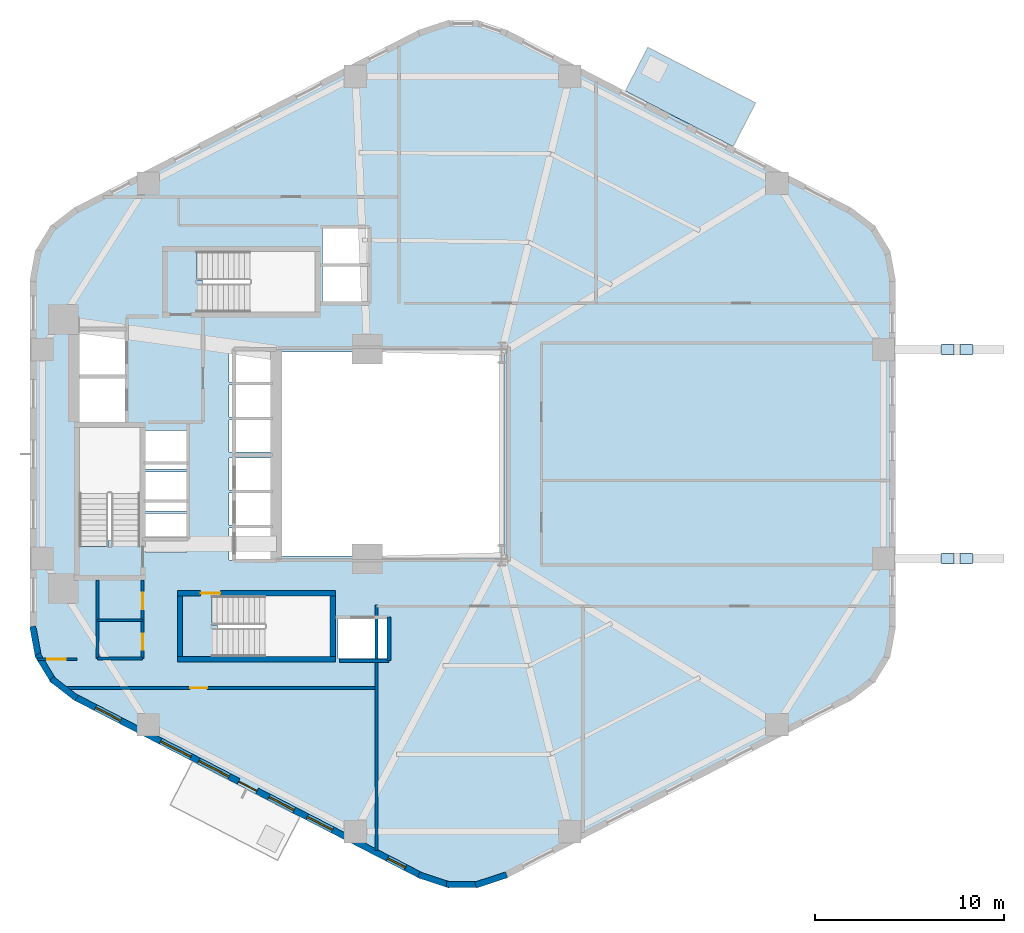
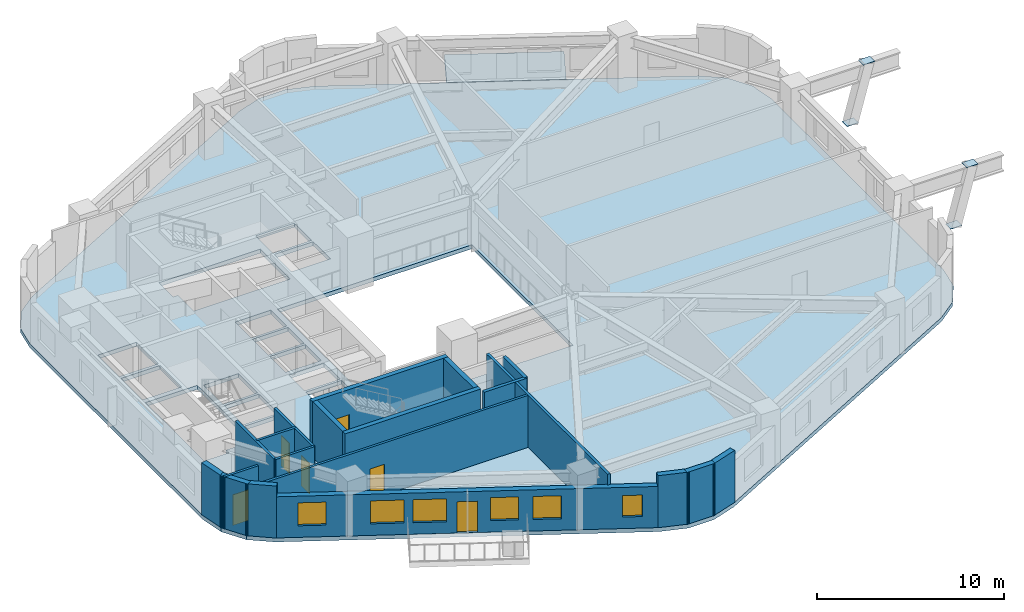
# One storey, part 2 of 7: 20 walls, 6 doors, 6 windows, 4 plates, 2 slabs, 12 openings.
"""IFC4 building model written with IfcOpenShell, lengths in metres."""

from ifc_helpers import new_model, si_unit, direction, frame, frame_2d, origin, origin_2d, place, context, subcontext, project, spatial, polyline, rectangle, outline, extrude, material, layer, layer_set, type_object, element, fill, save


model = new_model("IFC4")

# Units and contexts
model_context = context("Model", 3, precision=1e-05, world=origin(), true_north=direction((0.0, 1.0)))
body_context = subcontext(model_context, "Body", "Model", "MODEL_VIEW")
ifc_project = project(units=[si_unit("LENGTHUNIT", "METRE"), si_unit("AREAUNIT", "SQUARE_METRE"), si_unit("VOLUMEUNIT", "CUBIC_METRE"), si_unit("PLANEANGLEUNIT", "RADIAN"), si_unit("MASSUNIT", "GRAM", prefix="KILO"), si_unit("THERMODYNAMICTEMPERATUREUNIT", "KELVIN"), si_unit("POWERUNIT", "WATT")], contexts=[model_context])

# Site, building, storey
site_placement = place(None, origin())
site = spatial("IfcSite", under=ifc_project, at=site_placement, CompositionType="ELEMENT")
building_placement = place(site_placement, origin())
building = spatial("IfcBuilding", under=site, at=building_placement, Name="Skarre Station Tower", CompositionType="ELEMENT")
storey_placement = place(building_placement, frame((0.0, 0.0, 37.949951171875)))
storey = spatial("IfcBuildingStorey", under=building, at=storey_placement, Name="L09", CompositionType="ELEMENT", Elevation=37.949951171875)

# Plates
ifc_material_1 = material(Name="Steel ASTM A572 Grade 50", Category="steel")
ifc_layer_1 = layer(ifc_material_1, 0.031982421875, Name="Steel ASTM A572 Grade 50")
ifc_layer_set_1 = layer_set([ifc_layer_1], Name="Steel ASTM A572 Grade 50")
plate_type = type_object("IfcPlateType", Name="Exoskeleton Strut Cap Plate 700x540x32", PredefinedType="USERDEFINED", material=ifc_layer_set_1)
for number, where, z_axis, x_axis, name in (
    (1, (63.012939453125, 18.47900390625, -0.2861328125), (0.0, 0.0, 1.0), (1.0, 0.0, 0.0), "L09 SB-1 Exoskeleton Tier-1 Base Gusset S1"),
    (2, (64.012939453125, 18.47900390625, 3.3642578125), (0.0, 0.0, 1.0), (1.0, 0.0, 0.0), "L09 SB-1 Exoskeleton Tier-1 Head Gusset S1"),
    (3, (63.012939453125, 29.52099609375, -0.2861328125), (0.0, 0.0, 1.0), (1.0, 0.0, 0.0), "L09 SB-1 Exoskeleton Tier-1 Base Gusset S2"),
    (4, (64.012939453125, 29.52099609375, 3.3642578125), (0.0, 0.0, 1.0), (1.0, 0.0, 0.0), "L09 SB-1 Exoskeleton Tier-1 Head Gusset S2"),
):
    element("IfcPlate", number, at=place(storey_placement, frame(where, z_axis=z_axis, x_axis=x_axis)), inside=storey, type_object=plate_type, Name=name, ObjectType="STIFFENER_PLATE", PredefinedType="USERDEFINED", context=body_context, shape_type="SweptSolid", body=[
        extrude(rectangle(XDim=0.699951171875, YDim=0.5400390625, at=origin_2d()), origin(), (0.0, 0.0, 1.0), 0.031982421875),
    ])

# Slabs
ifc_material_2 = material(Name="Precast concrete C50/60", Category="concrete")
ifc_layer_2 = layer(ifc_material_2, 0.340087890625, Name="Precast concrete C50/60")
ifc_layer_set_2 = layer_set([ifc_layer_2], Name="Precast concrete C50/60")
slab_type_1 = type_object("IfcSlabType", Name="Planted Tree-Balcony Cantilever Slab 340", PredefinedType="FLOOR", material=ifc_layer_set_2)
slab_1_placement = place(storey_placement, frame((0.0, 0.0, -0.33984375)))
element("IfcSlab", 5, at=slab_1_placement, inside=storey, type_object=slab_type_1, Name="L09 Planted Tree-Balcony Deck TB-L09-F0", PredefinedType="FLOOR", context=body_context, shape_type="SweptSolid", body=[
    extrude(outline(polyline([(51.679931640625, 40.240966796875), (45.991943359375, 43.176025390625), (47.179931640625, 45.47802734375), (52.867919921875, 42.54296875), (51.679931640625, 40.240966796875)])), origin(), (0.0, 0.0, 1.0), 0.33984375),
])
ifc_material_3 = material(Name="Concrete C50/60", Category="concrete")
ifc_layer_3 = layer(ifc_material_3, 0.260009765625, Name="Concrete C50/60")
ifc_layer_set_3 = layer_set([ifc_layer_3], Name="Concrete C50/60")
slab_type_2 = type_object("IfcSlabType", Name="Tower Typical Composite Floor Slab 260", PredefinedType="FLOOR", material=ifc_layer_set_3)
slab_2_placement = place(storey_placement, frame((0.0, 0.0, -0.260009765625)))
element("IfcSlab", 6, at=slab_2_placement, inside=storey, type_object=slab_type_2, Name="L09 Zone 1 Structural Floor Slab", PredefinedType="FLOOR", context=body_context, shape_type="SweptSolid", body=[
    extrude(outline(polyline([(60.262939453125, 33.201904296875), (59.98193359375, 34.72412109375), (59.177001953125, 36.044921875), (57.9541015625, 36.991943359375), (39.708984375, 46.407958984375), (38.196044921875, 46.906005859375), (36.60400390625, 46.906005859375), (35.091064453125, 46.407958984375), (16.845947265625, 36.991943359375), (15.623046875, 36.044921875), (14.818115234375, 34.72412109375), (14.537109375, 33.201904296875), (14.537109375, 14.798095703125), (14.818115234375, 13.27587890625), (15.623046875, 11.955078125), (16.845947265625, 11.008056640625), (35.091064453125, 1.592041015625), (36.60400390625, 1.093994140625), (38.196044921875, 1.093994140625), (39.708984375, 1.592041015625), (57.9541015625, 11.008056640625), (59.177001953125, 11.955078125), (59.98193359375, 13.27587890625), (60.262939453125, 14.798095703125), (60.262939453125, 33.201904296875)]), holes=[polyline([(18.669921875, 19.419921875), (18.669921875, 19.123046875), (17.14990234375, 19.123046875), (17.14990234375, 25.39990234375), (20.35009765625, 25.39990234375), (20.35009765625, 19.419921875), (18.669921875, 19.419921875)]), polyline([(24.449951171875, 14.97998046875), (24.153076171875, 14.97998046875), (24.153076171875, 16.5), (30.39990234375, 16.5), (30.39990234375, 13.300048828125), (24.449951171875, 13.300048828125), (24.449951171875, 14.97998046875)]), polyline([(23.64990234375, 33.179931640625), (23.35302734375, 33.179931640625), (23.35302734375, 34.699951171875), (29.60009765625, 34.699951171875), (29.60009765625, 31.5), (23.64990234375, 31.5), (23.64990234375, 33.179931640625)]), polyline([(17.14990234375, 28.0), (19.550048828125, 28.0), (19.550048828125, 25.699951171875), (17.14990234375, 25.699951171875), (17.14990234375, 28.0)]), polyline([(17.14990234375, 30.5), (19.550048828125, 30.5), (19.550048828125, 28.199951171875), (17.14990234375, 28.199951171875), (17.14990234375, 30.5)]), polyline([(30.800048828125, 15.300048828125), (33.39990234375, 15.300048828125), (33.39990234375, 13.199951171875), (30.800048828125, 13.199951171875), (30.800048828125, 15.300048828125)]), polyline([(25.050048828125, 20.10009765625), (27.25, 20.10009765625), (27.25, 18.39990234375), (25.050048828125, 18.39990234375), (25.050048828125, 20.10009765625)]), polyline([(25.050048828125, 21.949951171875), (27.25, 21.949951171875), (27.25, 20.25), (25.050048828125, 20.25), (25.050048828125, 21.949951171875)]), polyline([(25.050048828125, 23.800048828125), (27.25, 23.800048828125), (27.25, 22.10009765625), (25.050048828125, 22.10009765625), (25.050048828125, 23.800048828125)]), polyline([(25.050048828125, 25.800048828125), (27.25, 25.800048828125), (27.25, 24.10009765625), (25.050048828125, 24.10009765625), (25.050048828125, 25.800048828125)]), polyline([(25.050048828125, 27.64990234375), (27.25, 27.64990234375), (27.25, 25.949951171875), (25.050048828125, 25.949951171875), (25.050048828125, 27.64990234375)]), polyline([(25.050048828125, 29.5), (27.25, 29.5), (27.25, 27.800048828125), (25.050048828125, 27.800048828125), (25.050048828125, 29.5)]), polyline([(20.64990234375, 20.85009765625), (22.800048828125, 20.85009765625), (22.800048828125, 18.800048828125), (20.64990234375, 18.800048828125), (20.64990234375, 20.85009765625)]), polyline([(20.64990234375, 23.050048828125), (22.800048828125, 23.050048828125), (22.800048828125, 21.0), (20.64990234375, 21.0), (20.64990234375, 23.050048828125)]), polyline([(20.64990234375, 25.25), (22.800048828125, 25.25), (22.800048828125, 23.199951171875), (20.64990234375, 23.199951171875), (20.64990234375, 25.25)]), polyline([(30.0, 33.89990234375), (32.39990234375, 33.89990234375), (32.39990234375, 32.050048828125), (30.0, 32.050048828125), (30.0, 33.89990234375)]), polyline([(30.0, 35.89990234375), (32.39990234375, 35.89990234375), (32.39990234375, 34.050048828125), (30.0, 34.050048828125), (30.0, 35.89990234375)]), polyline([(27.60009765625, 29.39990234375), (39.60009765625, 29.39990234375), (39.60009765625, 18.60009765625), (27.60009765625, 18.60009765625), (27.60009765625, 29.39990234375)])]), origin(), (0.0, 0.0, 1.0), 0.260009765625),
])

# Walls
ifc_material_4 = material(Name="Acoustic Steel-Stud Gypsum Partition", Category="steel")
ifc_layer_4 = layer(ifc_material_4, 0.14990234375, Name="Acoustic Steel-Stud Gypsum Partition")
ifc_layer_set_4 = layer_set([ifc_layer_4], Name="Acoustic Steel-Stud Gypsum Partition")
wall_type_1 = type_object("IfcWallType", Name="Fire-Rated Corridor Acoustic Partition 150", PredefinedType="PARTITIONING", material=ifc_layer_set_4)
wall_1_placement = place(storey_placement, frame((18.10009765625, 17.340087890625, 0.0), z_axis=(0.0, 0.0, 1.0), x_axis=(0.0, -1.0, 0.0)))
element("IfcWall", 7, at=wall_1_placement, inside=storey, type_object=wall_type_1, Name="L09 Interior Partition WL-PT-L09-CSVC-W", PredefinedType="PARTITIONING", context=body_context, shape_type="SweptSolid", body=[
    extrude(rectangle(XDim=4.14013671875, YDim=0.14990234375, at=frame_2d((2.070068359375, 0.0))), origin(), (0.0, 0.0, 1.0), 3.39013671875),
])
for number, where, z_axis, x_axis, name in (
    (8, (18.10009765625, 13.199951171875, 0.0), (0.0, 0.0, 1.0), (1.0, 0.0, 0.0), "L09 Interior Partition WL-PT-L09-CSVC-S"),
    (9, (18.10009765625, 15.219970703125, 0.0), (0.0, 0.0, 1.0), (1.0, 0.0, 0.0), "L09 Interior Partition WL-PT-L09-CSVC-M"),
):
    element("IfcWall", number, at=place(storey_placement, frame(where, z_axis=z_axis, x_axis=x_axis)), inside=storey, type_object=wall_type_1, Name=name, PredefinedType="PARTITIONING", context=body_context, shape_type="SweptSolid", body=[
        extrude(rectangle(XDim=2.389892578125, YDim=0.14990234375, at=frame_2d((1.19482421875, 0.0))), origin(), (0.0, 0.0, 1.0), 3.39013671875),
    ])

# Wall, openings, doors
wall_2_placement = place(storey_placement, frame((20.489990234375, 13.199951171875, 0.0), z_axis=(0.0, 0.0, 1.0), x_axis=(0.0, 1.0, 0.0)))
wall_2 = element("IfcWall", 10, at=wall_2_placement, inside=storey, type_object=wall_type_1, Name="L09 Interior Partition WL-PT-L09-CSVC-E", PredefinedType="PARTITIONING", context=body_context, shape_type="SweptSolid", body=[
    extrude(rectangle(XDim=4.14013671875, YDim=0.14990234375, at=frame_2d((2.070068359375, 0.0))), origin(), (0.0, 0.0, 1.0), 3.39013671875),
])
opening_1_placement = place(wall_2_placement, frame((0.449951171875, 0.0, 0.0)))
opening_1 = element("IfcOpeningElement", 11, at=opening_1_placement, cuts=wall_2, Name="Opening DR-SVC86", PredefinedType="OPENING", context=body_context, shape_type="SweptSolid", body=[
    extrude(rectangle(XDim=0.860107421875, YDim=2.0, at=frame_2d((0.43017578125, 1.0))), frame((0.0, 0.0849609375, 0.0), z_axis=(0.0, -1.0, 0.0), x_axis=(1.0, 0.0, 0.0)), (0.0, 0.0, 1.0), 0.169921875),
])
opening_2_placement = place(wall_2_placement, frame((2.60009765625, 0.0, 0.0)))
opening_2 = element("IfcOpeningElement", 12, at=opening_2_placement, cuts=wall_2, Name="Opening DR-SVC86", PredefinedType="OPENING", context=body_context, shape_type="SweptSolid", body=[
    extrude(rectangle(XDim=0.860107421875, YDim=2.0, at=frame_2d((0.43017578125, 1.0))), frame((0.0, 0.0849609375, 0.0), z_axis=(0.0, -1.0, 0.0), x_axis=(1.0, 0.0, 0.0)), (0.0, 0.0, 1.0), 0.169921875),
])
ifc_material_5 = material(Name="Powder-Coated Hollow-Metal Acoustic Fire Leaf", Category="steel")
door_type_1 = type_object("IfcDoorType", Name="Compact Riser Fire Door FD60 860x2100", OperationType="SINGLE_SWING_LEFT", PredefinedType="DOOR", material=ifc_material_5)
door_1_placement = place(opening_1_placement, origin())
door_1 = element("IfcDoor", 13, at=door_1_placement, inside=storey, type_object=door_type_1, Name="L09 Vending Room Door", OperationType="SINGLE_SWING_LEFT", OverallHeight=2.0, OverallWidth=0.860107421875, PredefinedType="DOOR", context=body_context, shape_type="SweptSolid", body=[
    extrude(rectangle(XDim=0.860107421875, YDim=2.0, at=frame_2d((0.43017578125, 1.0))), frame((0.0, 0.02490234375, 0.0), z_axis=(0.0, -1.0, 0.0), x_axis=(1.0, 0.0, 0.0)), (0.0, 0.0, 1.0), 0.050048828125),
])
fill(opening_1, door_1)
door_2_placement = place(opening_2_placement, origin())
door_2 = element("IfcDoor", 14, at=door_2_placement, inside=storey, type_object=door_type_1, Name="L09 Linen Storage Door", OperationType="SINGLE_SWING_LEFT", OverallHeight=2.0, OverallWidth=0.860107421875, PredefinedType="DOOR", context=body_context, shape_type="SweptSolid", body=[
    extrude(rectangle(XDim=0.860107421875, YDim=2.0, at=frame_2d((0.43017578125, 1.0))), frame((0.0, 0.02490234375, 0.0), z_axis=(0.0, -1.0, 0.0), x_axis=(1.0, 0.0, 0.0)), (0.0, 0.0, 1.0), 0.050048828125),
])
fill(opening_2, door_2)

# Wall, opening, door
wall_3_placement = place(storey_placement, frame((16.487060546875, 11.639892578125, 0.0), z_axis=(0.0, 0.0, 1.0), x_axis=(1.0, 0.0, 0.0)))
wall_3 = element("IfcWall", 15, at=wall_3_placement, inside=storey, type_object=wall_type_1, Name="L09 Interior Partition WL-PT-L09-SWP-N", PredefinedType="PARTITIONING", context=body_context, shape_type="SweptSolid", body=[
    extrude(rectangle(XDim=16.363037109375, YDim=0.14990234375, at=frame_2d((8.181640625, 0.0))), origin(), (0.0, 0.0, 1.0), 3.39013671875),
])
opening_3_placement = place(wall_3_placement, frame((6.512939453125, 0.0, 0.0)))
opening_3 = element("IfcOpeningElement", 16, at=opening_3_placement, cuts=wall_3, Name="Opening DR-SVC90", PredefinedType="OPENING", context=body_context, shape_type="SweptSolid", body=[
    extrude(rectangle(XDim=0.89990234375, YDim=2.0, at=frame_2d((0.449951171875, 1.0))), frame((0.0, 0.0849609375, 0.0), z_axis=(0.0, -1.0, 0.0), x_axis=(1.0, 0.0, 0.0)), (0.0, 0.0, 1.0), 0.169921875),
])
door_type_2 = type_object("IfcDoorType", Name="Service & Riser Fire Door FD60 900x2100", OperationType="SINGLE_SWING_LEFT", PredefinedType="DOOR", material=ifc_material_5)
door_3_placement = place(opening_3_placement, origin())
door_3 = element("IfcDoor", 17, at=door_3_placement, inside=storey, type_object=door_type_2, Name="L09 Floor Public Toilets Door", OperationType="SINGLE_SWING_LEFT", OverallHeight=2.0, OverallWidth=0.89990234375, PredefinedType="DOOR", context=body_context, shape_type="SweptSolid", body=[
    extrude(rectangle(XDim=0.89990234375, YDim=2.0, at=frame_2d((0.449951171875, 1.0))), frame((0.0, 0.02490234375, 0.0), z_axis=(0.0, -1.0, 0.0), x_axis=(1.0, 0.0, 0.0)), (0.0, 0.0, 1.0), 0.050048828125),
])
fill(opening_3, door_3)

wall_4_placement = place(storey_placement, frame((17.02001953125, 13.159912109375, 0.0), z_axis=(0.0, 0.0, 1.0), x_axis=(-1.0, 0.0, 0.0)))
wall_4 = element("IfcWall", 18, at=wall_4_placement, inside=storey, type_object=wall_type_1, Name="L09 Interior Partition WL-PT-L09-WW1-CW", PredefinedType="PARTITIONING", context=body_context, shape_type="SweptSolid", body=[
    extrude(rectangle(XDim=2.1201171875, YDim=0.14990234375, at=frame_2d((1.06005859375, 0.0))), origin(), (0.0, 0.0, 1.0), 3.39013671875),
])
opening_4_placement = place(wall_4_placement, frame((0.596923828125, 0.0, 0.0)))
opening_4 = element("IfcOpeningElement", 19, at=opening_4_placement, cuts=wall_4, Name="Opening DR-FD60", PredefinedType="OPENING", context=body_context, shape_type="SweptSolid", body=[
    extrude(rectangle(XDim=0.9599609375, YDim=2.0, at=frame_2d((0.47998046875, 1.0))), frame((0.0, 0.0849609375, 0.0), z_axis=(0.0, -1.0, 0.0), x_axis=(1.0, 0.0, 0.0)), (0.0, 0.0, 1.0), 0.169921875),
])
ifc_material_6 = material(Name="Nordic White-Oak Veneer Solid-Core Fire Leaf", Category="wood")
door_type_3 = type_object("IfcDoorType", Name="Corridor Suite Entry Fire Door FD60 960x2150", OperationType="SINGLE_SWING_LEFT", PredefinedType="DOOR", material=ifc_material_6)
door_4_placement = place(opening_4_placement, origin())
door_4 = element("IfcDoor", 20, at=door_4_placement, inside=storey, type_object=door_type_3, Name="L09 WW1 Entry Door", OperationType="SINGLE_SWING_LEFT", OverallHeight=2.0, OverallWidth=0.9599609375, PredefinedType="DOOR", context=body_context, shape_type="SweptSolid", body=[
    extrude(rectangle(XDim=0.9599609375, YDim=2.0, at=frame_2d((0.47998046875, 1.0))), frame((0.0, 0.02490234375, 0.0), z_axis=(0.0, -1.0, 0.0), x_axis=(1.0, 0.0, 0.0)), (0.0, 0.0, 1.0), 0.050048828125),
])
fill(opening_4, door_4)

# Wall, openings, windows, door
ifc_material_7 = material(Name="Precast concrete C45/55", Category="concrete")
ifc_layer_5 = layer(ifc_material_7, 0.340087890625, Name="Precast concrete C45/55")
ifc_layer_set_5 = layer_set([ifc_layer_5], Name="Precast concrete C45/55")
wall_type_2 = type_object("IfcWallType", Name="Nordic Honed Precast Facet Wall 340", PredefinedType="STANDARD", material=ifc_layer_set_5)
wall_5_placement = place(storey_placement, frame((35.1689453125, 1.742919921875, 0.0), z_axis=(0.0, 0.0, 1.0), x_axis=(-0.888634413993, 0.458616264721, 0.0)))
wall_5 = element("IfcWall", 21, at=wall_5_placement, inside=storey, type_object=wall_type_2, Name="L09 Facet 3 Nordic Precast Masonry Wall", PredefinedType="STANDARD", context=body_context, shape_type="SweptSolid", body=[
    extrude(rectangle(XDim=20.53125, YDim=0.340087890625, at=frame_2d((10.265625, 0.0))), origin(), (0.0, 0.0, 1.0), 2.68408203125),
])
opening_5_placement = place(wall_5_placement, frame((9.716064453125, 0.0, 0.0)))
opening_5 = element("IfcOpeningElement", 22, at=opening_5_placement, cuts=wall_5, Name="Opening DR-BAL110", PredefinedType="OPENING", context=body_context, shape_type="SweptSolid", body=[
    extrude(rectangle(XDim=1.10009765625, YDim=2.0400390625, at=frame_2d((0.550048828125, 1.02001953125))), frame((0.0, 0.179931640625, 0.0), z_axis=(0.0, -1.0, 0.0), x_axis=(1.0, 0.0, 0.0)), (0.0, 0.0, 1.0), 0.360107421875),
])
opening_6_placement = place(wall_5_placement, frame((0.902099609375, 0.0, 0.75)))
opening_6 = element("IfcOpeningElement", 23, at=opening_6_placement, cuts=wall_5, Name="Opening WN-SLT", PredefinedType="OPENING", context=body_context, shape_type="SweptSolid", body=[
    extrude(rectangle(XDim=1.050048828125, YDim=1.39990234375, at=frame_2d((0.52490234375, 0.699951171875))), frame((0.0, 0.179931640625, 0.0), z_axis=(0.0, -1.0, 0.0), x_axis=(1.0, 0.0, 0.0)), (0.0, 0.0, 1.0), 0.360107421875),
])
opening_7_placement = place(wall_5_placement, frame((5.23388671875, 0.0, 0.75)))
opening_7 = element("IfcOpeningElement", 24, at=opening_7_placement, cuts=wall_5, Name="Opening WN-Z1B", PredefinedType="OPENING", context=body_context, shape_type="SweptSolid", body=[
    extrude(rectangle(XDim=1.5, YDim=1.5, at=frame_2d((0.75, 0.75))), frame((0.0, 0.179931640625, 0.0), z_axis=(0.0, -1.0, 0.0), x_axis=(1.0, 0.0, 0.0)), (0.0, 0.0, 1.0), 0.360107421875),
])
opening_8_placement = place(wall_5_placement, frame((7.509033203125, 0.0, 0.75)))
opening_8 = element("IfcOpeningElement", 25, at=opening_8_placement, cuts=wall_5, Name="Opening WN-Z1B", PredefinedType="OPENING", context=body_context, shape_type="SweptSolid", body=[
    extrude(rectangle(XDim=1.5, YDim=1.5, at=frame_2d((0.75, 0.75))), frame((0.0, 0.179931640625, 0.0), z_axis=(0.0, -1.0, 0.0), x_axis=(1.0, 0.0, 0.0)), (0.0, 0.0, 1.0), 0.360107421875),
])
opening_9_placement = place(wall_5_placement, frame((11.373046875, 0.0, 0.75)))
opening_9 = element("IfcOpeningElement", 26, at=opening_9_placement, cuts=wall_5, Name="Opening WN-Z1A", PredefinedType="OPENING", context=body_context, shape_type="SweptSolid", body=[
    extrude(rectangle(XDim=1.800048828125, YDim=1.5, at=frame_2d((0.89990234375, 0.75))), frame((0.0, 0.179931640625, 0.0), z_axis=(0.0, -1.0, 0.0), x_axis=(1.0, 0.0, 0.0)), (0.0, 0.0, 1.0), 0.360107421875),
])
opening_10_placement = place(wall_5_placement, frame((13.64794921875, 0.0, 0.75)))
opening_10 = element("IfcOpeningElement", 27, at=opening_10_placement, cuts=wall_5, Name="Opening WN-Z1A", PredefinedType="OPENING", context=body_context, shape_type="SweptSolid", body=[
    extrude(rectangle(XDim=1.800048828125, YDim=1.5, at=frame_2d((0.89990234375, 0.75))), frame((0.0, 0.179931640625, 0.0), z_axis=(0.0, -1.0, 0.0), x_axis=(1.0, 0.0, 0.0)), (0.0, 0.0, 1.0), 0.360107421875),
])
opening_11_placement = place(wall_5_placement, frame((17.822998046875, 0.0, 0.75)))
opening_11 = element("IfcOpeningElement", 28, at=opening_11_placement, cuts=wall_5, Name="Opening WN-Z1B", PredefinedType="OPENING", context=body_context, shape_type="SweptSolid", body=[
    extrude(rectangle(XDim=1.5, YDim=1.5, at=frame_2d((0.75, 0.75))), frame((0.0, 0.179931640625, 0.0), z_axis=(0.0, -1.0, 0.0), x_axis=(1.0, 0.0, 0.0)), (0.0, 0.0, 1.0), 0.360107421875),
])
ifc_material_8 = material(Name="Low-Iron Triple Glazing with Bronze Anodized Frame", Category="glass")
window_type_1 = type_object("IfcWindowType", Name="Nordic Corner Slot Window 1050x1400", PartitioningType="SINGLE_PANEL", PredefinedType="WINDOW", material=ifc_material_8)
window_1_placement = place(opening_6_placement, origin())
window_1 = element("IfcWindow", 29, at=window_1_placement, inside=storey, type_object=window_type_1, Name="L09 Facade Window WL-FAC-L09-F3-1", OverallHeight=1.39990234375, OverallWidth=1.050048828125, PartitioningType="SINGLE_PANEL", PredefinedType="WINDOW", context=body_context, shape_type="SweptSolid", body=[
    extrude(rectangle(XDim=1.050048828125, YDim=1.39990234375, at=frame_2d((0.52490234375, 0.699951171875))), frame((0.0, 0.030029296875, 0.0), z_axis=(0.0, -1.0, 0.0), x_axis=(1.0, 0.0, 0.0)), (0.0, 0.0, 1.0), 0.06005859375),
])
fill(opening_6, window_1)
window_type_2 = type_object("IfcWindowType", Name="Nordic Punched Triple-Glazed Window 1500x1500", PartitioningType="SINGLE_PANEL", PredefinedType="WINDOW", material=ifc_material_8)
window_2_placement = place(opening_7_placement, origin())
window_2 = element("IfcWindow", 30, at=window_2_placement, inside=storey, type_object=window_type_2, Name="L09 Facade Window WL-FAC-L09-F3-2", OverallHeight=1.5, OverallWidth=1.5, PartitioningType="SINGLE_PANEL", PredefinedType="WINDOW", context=body_context, shape_type="SweptSolid", body=[
    extrude(rectangle(XDim=1.5, YDim=1.5, at=frame_2d((0.75, 0.75))), frame((0.0, 0.030029296875, 0.0), z_axis=(0.0, -1.0, 0.0), x_axis=(1.0, 0.0, 0.0)), (0.0, 0.0, 1.0), 0.06005859375),
])
fill(opening_7, window_2)
window_3_placement = place(opening_8_placement, origin())
window_3 = element("IfcWindow", 31, at=window_3_placement, inside=storey, type_object=window_type_2, Name="L09 Facade Window WL-FAC-L09-F3-3", OverallHeight=1.5, OverallWidth=1.5, PartitioningType="SINGLE_PANEL", PredefinedType="WINDOW", context=body_context, shape_type="SweptSolid", body=[
    extrude(rectangle(XDim=1.5, YDim=1.5, at=frame_2d((0.75, 0.75))), frame((0.0, 0.030029296875, 0.0), z_axis=(0.0, -1.0, 0.0), x_axis=(1.0, 0.0, 0.0)), (0.0, 0.0, 1.0), 0.06005859375),
])
fill(opening_8, window_3)
window_4_placement = place(opening_11_placement, origin())
window_4 = element("IfcWindow", 32, at=window_4_placement, inside=storey, type_object=window_type_2, Name="L09 Facade Window WL-FAC-L09-F3-6", OverallHeight=1.5, OverallWidth=1.5, PartitioningType="SINGLE_PANEL", PredefinedType="WINDOW", context=body_context, shape_type="SweptSolid", body=[
    extrude(rectangle(XDim=1.5, YDim=1.5, at=frame_2d((0.75, 0.75))), frame((0.0, 0.030029296875, 0.0), z_axis=(0.0, -1.0, 0.0), x_axis=(1.0, 0.0, 0.0)), (0.0, 0.0, 1.0), 0.06005859375),
])
fill(opening_11, window_4)
window_type_3 = type_object("IfcWindowType", Name="Nordic Punched Triple-Glazed Window 1800x1500", PartitioningType="SINGLE_PANEL", PredefinedType="WINDOW", material=ifc_material_8)
window_5_placement = place(opening_9_placement, origin())
window_5 = element("IfcWindow", 33, at=window_5_placement, inside=storey, type_object=window_type_3, Name="L09 Facade Window WL-FAC-L09-F3-4", OverallHeight=1.5, OverallWidth=1.800048828125, PartitioningType="SINGLE_PANEL", PredefinedType="WINDOW", context=body_context, shape_type="SweptSolid", body=[
    extrude(rectangle(XDim=1.800048828125, YDim=1.5, at=frame_2d((0.89990234375, 0.75))), frame((0.0, 0.030029296875, 0.0), z_axis=(0.0, -1.0, 0.0), x_axis=(1.0, 0.0, 0.0)), (0.0, 0.0, 1.0), 0.06005859375),
])
fill(opening_9, window_5)
window_6_placement = place(opening_10_placement, origin())
window_6 = element("IfcWindow", 34, at=window_6_placement, inside=storey, type_object=window_type_3, Name="L09 Facade Window WL-FAC-L09-F3-5", OverallHeight=1.5, OverallWidth=1.800048828125, PartitioningType="SINGLE_PANEL", PredefinedType="WINDOW", context=body_context, shape_type="SweptSolid", body=[
    extrude(rectangle(XDim=1.800048828125, YDim=1.5, at=frame_2d((0.89990234375, 0.75))), frame((0.0, 0.030029296875, 0.0), z_axis=(0.0, -1.0, 0.0), x_axis=(1.0, 0.0, 0.0)), (0.0, 0.0, 1.0), 0.06005859375),
])
fill(opening_10, window_6)
ifc_material_9 = material(Name="Thermally Broken Aluminium & Triple Glazing", Category="aluminium")
door_type_4 = type_object("IfcDoorType", Name="Terrace & Tree-Balcony Glazed Door 1100x2200", OperationType="SINGLE_SWING_LEFT", PredefinedType="DOOR", material=ifc_material_9)
door_5_placement = place(opening_5_placement, origin())
door_5 = element("IfcDoor", 35, at=door_5_placement, inside=storey, type_object=door_type_4, Name="L09 TB-L09-F3 Tree-Balcony Glazed Door", OperationType="SINGLE_SWING_LEFT", OverallHeight=2.0400390625, OverallWidth=1.10009765625, PredefinedType="DOOR", context=body_context, shape_type="SweptSolid", body=[
    extrude(rectangle(XDim=1.10009765625, YDim=2.0400390625, at=frame_2d((0.550048828125, 1.02001953125))), frame((0.0, 0.02490234375, 0.0), z_axis=(0.0, -1.0, 0.0), x_axis=(1.0, 0.0, 0.0)), (0.0, 0.0, 1.0), 0.050048828125),
])
fill(opening_5, door_5)

# Walls
ifc_layer_6 = layer(ifc_material_7, 0.330078125, Name="Precast concrete C45/55")
ifc_layer_set_6 = layer_set([ifc_layer_6], Name="Precast concrete C45/55")
wall_type_3 = type_object("IfcWallType", Name="Nordic Rounded Corner Precast Wall 330", PredefinedType="STANDARD", material=ifc_layer_set_6)
wall_6_placement = place(storey_placement, frame((16.998046875, 11.09912109375, 0.0), z_axis=(0.0, 0.0, 1.0), x_axis=(-0.790691856293, 0.61221433207, 0.0)))
element("IfcWall", 36, at=wall_6_placement, inside=storey, type_object=wall_type_3, Name="L09 Rounded Corner Precast Wall F3-1", PredefinedType="STANDARD", context=body_context, shape_type="SweptSolid", body=[
    extrude(rectangle(XDim=1.67578125, YDim=0.330078125, at=frame_2d((0.837890625, 0.0))), origin(), (0.0, 0.0, 1.0), 3.39013671875),
])
wall_7_placement = place(storey_placement, frame((15.798095703125, 11.985107421875, 0.0), z_axis=(0.0, 0.0, 1.0), x_axis=(-0.520584129191, 0.853810379671, 0.0)))
element("IfcWall", 37, at=wall_7_placement, inside=storey, type_object=wall_type_3, Name="L09 Rounded Corner Precast Wall F3-2", PredefinedType="STANDARD", context=body_context, shape_type="SweptSolid", body=[
    extrude(rectangle(XDim=1.677001953125, YDim=0.330078125, at=frame_2d((0.83837890625, 0.0))), origin(), (0.0, 0.0, 1.0), 3.39013671875),
])
wall_8_placement = place(storey_placement, frame((14.991943359375, 13.241943359375, 0.0), z_axis=(0.0, 0.0, 1.0), x_axis=(-0.181714143354, 0.983351397063, 0.0)))
element("IfcWall", 38, at=wall_8_placement, inside=storey, type_object=wall_type_3, Name="L09 Rounded Corner Precast Wall F3-3", PredefinedType="STANDARD", context=body_context, shape_type="SweptSolid", body=[
    extrude(rectangle(XDim=1.677978515625, YDim=0.330078125, at=frame_2d((0.8388671875, 0.0))), origin(), (0.0, 0.0, 1.0), 3.39013671875),
])
wall_9_placement = place(storey_placement, frame((39.718994140625, 1.76904296875, 0.0), z_axis=(0.0, 0.0, 1.0), x_axis=(-0.94976901097, -0.312951794691, 0.0)))
element("IfcWall", 39, at=wall_9_placement, inside=storey, type_object=wall_type_3, Name="L09 Rounded Corner Precast Wall F4-1", PredefinedType="STANDARD", context=body_context, shape_type="SweptSolid", body=[
    extrude(rectangle(XDim=1.722412109375, YDim=0.330078125, at=frame_2d((0.861328125, 0.0))), origin(), (0.0, 0.0, 1.0), 3.39013671875),
])
wall_10_placement = place(storey_placement, frame((38.260986328125, 1.259033203125, 0.0), z_axis=(0.0, 0.0, 1.0), x_axis=(-1.0, 0.0, 0.0)))
element("IfcWall", 40, at=wall_10_placement, inside=storey, type_object=wall_type_3, Name="L09 Rounded Corner Precast Wall F4-2", PredefinedType="STANDARD", context=body_context, shape_type="SweptSolid", body=[
    extrude(rectangle(XDim=1.721923828125, YDim=0.330078125, at=frame_2d((0.86083984375, 0.0))), origin(), (0.0, 0.0, 1.0), 3.39013671875),
])
wall_11_placement = place(storey_placement, frame((36.717041015625, 1.22998046875, 0.0), z_axis=(0.0, 0.0, 1.0), x_axis=(-0.94976901097, 0.312951794691, 0.0)))
element("IfcWall", 41, at=wall_11_placement, inside=storey, type_object=wall_type_3, Name="L09 Rounded Corner Precast Wall F4-3", PredefinedType="STANDARD", context=body_context, shape_type="SweptSolid", body=[
    extrude(rectangle(XDim=1.722412109375, YDim=0.330078125, at=frame_2d((0.861328125, 0.0))), origin(), (0.0, 0.0, 1.0), 3.39013671875),
])
ifc_layer_7 = layer(ifc_material_3, 0.280029296875, Name="Concrete C50/60")
ifc_layer_set_7 = layer_set([ifc_layer_7], Name="Concrete C50/60")
wall_type_4 = type_object("IfcWallType", Name="RC Core Shear Wall 280", PredefinedType="SHEAR", material=ifc_layer_set_7)
wall_12_placement = place(storey_placement, frame((22.320068359375, 13.159912109375, 0.0), z_axis=(0.0, 0.0, 1.0), x_axis=(1.0, 0.0, 0.0)))
element("IfcWall", 42, at=wall_12_placement, inside=storey, type_object=wall_type_4, Name="L09 Stair ST-2 South Shear Wall", PredefinedType="SHEAR", context=body_context, shape_type="SweptSolid", body=[
    extrude(rectangle(XDim=8.35986328125, YDim=0.280029296875, at=frame_2d((4.179931640625, 0.0))), origin(), (0.0, 0.0, 1.0), 3.650146484375),
])

# Wall, opening, door
wall_13_placement = place(storey_placement, frame((30.679931640625, 16.639892578125, 0.0), z_axis=(0.0, 0.0, 1.0), x_axis=(-1.0, 0.0, 0.0)))
wall_13 = element("IfcWall", 43, at=wall_13_placement, inside=storey, type_object=wall_type_4, Name="L09 Stair ST-2 North Shear Wall", PredefinedType="SHEAR", context=body_context, shape_type="SweptSolid", body=[
    extrude(rectangle(XDim=8.35986328125, YDim=0.280029296875, at=frame_2d((4.179931640625, 0.0))), origin(), (0.0, 0.0, 1.0), 3.650146484375),
])
opening_12_placement = place(wall_13_placement, frame((6.080078125, 0.0, 0.0)))
opening_12 = element("IfcOpeningElement", 44, at=opening_12_placement, cuts=wall_13, Name="Opening DR-FD90", PredefinedType="OPENING", context=body_context, shape_type="SweptSolid", body=[
    extrude(rectangle(XDim=1.050048828125, YDim=2.0, at=frame_2d((0.52490234375, 1.0))), frame((0.0, 0.14990234375, 0.0), z_axis=(0.0, -1.0, 0.0), x_axis=(1.0, 0.0, 0.0)), (0.0, 0.0, 1.0), 0.300048828125),
])
ifc_material_10 = material(Name="Fire-Rated Insulated Steel Frame & Timber Core Leaf", Category="steel")
door_type_5 = type_object("IfcDoorType", Name="Stair & FSAE Lobby Fire Door FD90 1050x2150", OperationType="SINGLE_SWING_RIGHT", PredefinedType="DOOR", material=ifc_material_10)
door_6_placement = place(opening_12_placement, origin())
door_6 = element("IfcDoor", 45, at=door_6_placement, inside=storey, type_object=door_type_5, Name="L09 Stair ST-2 Exit Door", OperationType="SINGLE_SWING_RIGHT", OverallHeight=2.0, OverallWidth=1.050048828125, PredefinedType="DOOR", context=body_context, shape_type="SweptSolid", body=[
    extrude(rectangle(XDim=1.050048828125, YDim=2.0, at=frame_2d((0.52490234375, 1.0))), frame((0.0, 0.02490234375, 0.0), z_axis=(0.0, -1.0, 0.0), x_axis=(1.0, 0.0, 0.0)), (0.0, 0.0, 1.0), 0.050048828125),
])
fill(opening_12, door_6)

# Walls
for number, where, z_axis, x_axis, name in (
    (46, (22.4599609375, 16.5, 0.0), (0.0, 0.0, 1.0), (0.0, -1.0, 0.0), "L09 Stair ST-2 West Shear Wall"),
    (47, (30.5400390625, 13.300048828125, 0.0), (0.0, 0.0, 1.0), (0.0, 1.0, 0.0), "L09 Stair ST-2 East Shear Wall"),
):
    element("IfcWall", number, at=place(storey_placement, frame(where, z_axis=z_axis, x_axis=x_axis)), inside=storey, type_object=wall_type_4, Name=name, PredefinedType="SHEAR", context=body_context, shape_type="SweptSolid", body=[
        extrude(rectangle(XDim=3.199951171875, YDim=0.280029296875, at=frame_2d((1.60009765625, 0.0))), origin(), (0.0, 0.0, 1.0), 3.650146484375),
    ])
ifc_material_11 = material(Name="Gypsum Concrete Shaft Assembly C30/37", Category="concrete")
ifc_layer_8 = layer(ifc_material_11, 0.199951171875, Name="Gypsum Concrete Shaft Assembly C30/37")
ifc_layer_set_8 = layer_set([ifc_layer_8], Name="Gypsum Concrete Shaft Assembly C30/37")
wall_type_5 = type_object("IfcWallType", Name="Shaft & Core Fire Partition 200", PredefinedType="PARTITIONING", material=ifc_layer_set_8)
wall_14_placement = place(storey_placement, frame((33.5, 13.080078125, 0.0), z_axis=(0.0, 0.0, 1.0), x_axis=(0.0, 1.0, 0.0)))
element("IfcWall", 48, at=wall_14_placement, inside=storey, type_object=wall_type_5, Name="L09 Interior Partition WL-PT-L09-SV1-E", PredefinedType="PARTITIONING", context=body_context, shape_type="SweptSolid", body=[
    extrude(rectangle(XDim=2.2998046875, YDim=0.199951171875, at=frame_2d((1.14990234375, 0.0))), origin(), (0.0, 0.0, 1.0), 3.39013671875),
])
wall_15_placement = place(storey_placement, frame((30.87890625, 13.080078125, 0.0), z_axis=(0.0, 0.0, 1.0), x_axis=(1.0, 0.0, 0.0)))
element("IfcWall", 49, at=wall_15_placement, inside=storey, type_object=wall_type_5, Name="L09 Interior Partition WL-PT-L09-SV1-S", PredefinedType="PARTITIONING", context=body_context, shape_type="SweptSolid", body=[
    extrude(rectangle(XDim=2.62109375, YDim=0.199951171875, at=frame_2d((1.310546875, 0.0))), origin(), (0.0, 0.0, 1.0), 3.39013671875),
])
ifc_layer_9 = layer(ifc_material_4, 0.1650390625, Name="Acoustic Steel-Stud Gypsum Partition")
ifc_layer_set_9 = layer_set([ifc_layer_9], Name="Acoustic Steel-Stud Gypsum Partition")
wall_type_6 = type_object("IfcWallType", Name="Suite Demising Acoustic Partition 165", PredefinedType="PARTITIONING", material=ifc_layer_set_9)
wall_16_placement = place(storey_placement, frame((32.85009765625, 3.06396484375, 0.0), z_axis=(0.0, 0.0, 1.0), x_axis=(0.0, 1.0, 0.0)))
element("IfcWall", 50, at=wall_16_placement, inside=storey, type_object=wall_type_6, Name="L09 Interior Partition WL-PT-L09-SWP-E", PredefinedType="PARTITIONING", context=body_context, shape_type="SweptSolid", body=[
    extrude(rectangle(XDim=12.966064453125, YDim=0.1650390625, at=frame_2d((6.48291015625, 0.0))), origin(), (0.0, 0.0, 1.0), 3.39013671875),
])

save(model, "model.ifc")
